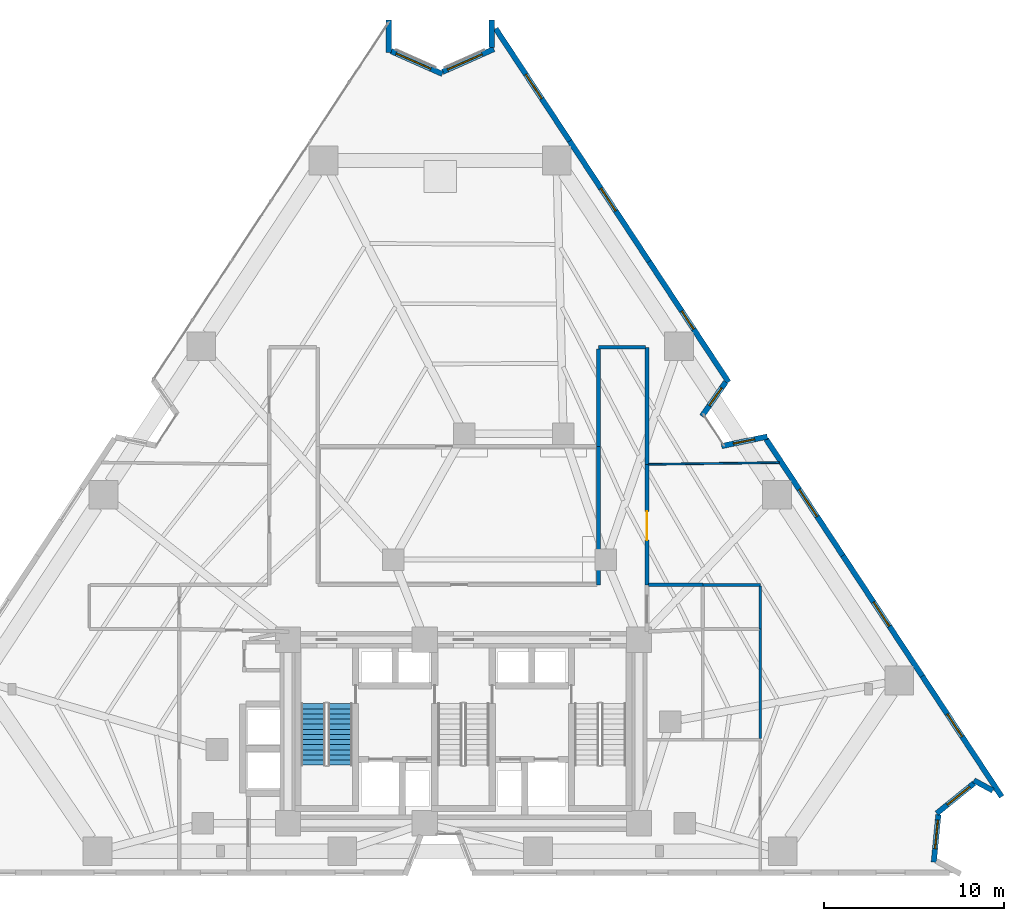
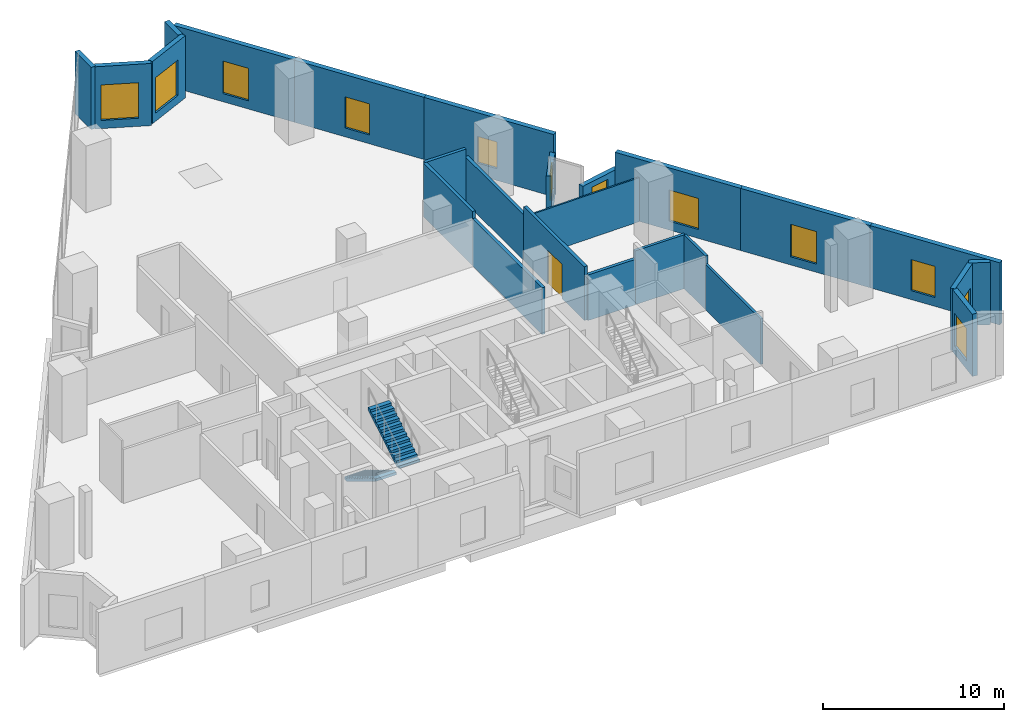
# One storey, part 9 of 12: 25 walls, 12 windows, 2 stair flights, 1 door, 13 openings, 1 element without a shape of its own.
"""IFC4 building model written with IfcOpenShell, lengths in metres."""

from ifc_helpers import new_model, si_unit, direction, frame, frame_2d, origin, place, context, subcontext, project, spatial, polyline, rectangle, outline, extrude, material, layer, layer_set, type_object, element, fill, aggregate, save


model = new_model("IFC4")

# Units and contexts
model_context = context("Model", 3, precision=1e-05, world=origin(), true_north=direction((0.0, 1.0)))
body_context = subcontext(model_context, "Body", "Model", "MODEL_VIEW")
ifc_project = project(units=[si_unit("LENGTHUNIT", "METRE"), si_unit("AREAUNIT", "SQUARE_METRE"), si_unit("VOLUMEUNIT", "CUBIC_METRE"), si_unit("PLANEANGLEUNIT", "RADIAN"), si_unit("MASSUNIT", "GRAM", prefix="KILO")], contexts=[model_context])

# Site, building, storey
site_placement = place(None, origin())
site = spatial("IfcSite", under=ifc_project, at=site_placement, CompositionType="ELEMENT")
building_placement = place(site_placement, origin())
building = spatial("IfcBuilding", under=site, at=building_placement, Name="Almagre Mirador Tower", CompositionType="ELEMENT")
storey_placement = place(building_placement, frame((0.0, 0.0, 12.89990234375)))
storey = spatial("IfcBuildingStorey", under=building, at=storey_placement, Name="L02", CompositionType="ELEMENT", Elevation=12.89990234375)

# Wall
ifc_material_1 = material(Name="Precast concrete C50/60", Category="concrete")
ifc_layer_1 = layer(ifc_material_1, 0.300048828125)
ifc_layer_set_1 = layer_set([ifc_layer_1], Name="Precast concrete C50/60")
wall_type_1 = type_object("IfcWallType", Name="WAL-EXT-300", PredefinedType="SOLIDWALL", material=ifc_layer_set_1)
wall_1_placement = place(storey_placement, frame((33.138916015625, 49.197998046875, 0.0), z_axis=(0.0, 0.0, 1.0), x_axis=(0.0, -1.0, 0.0)))
element("IfcWall", 1, at=wall_1_placement, inside=storey, type_object=wall_type_1, Name="L02 expressed almagre precast frame wall 03", PredefinedType="SOLIDWALL", context=body_context, shape_type="SweptSolid", body=[
    extrude(rectangle(XDim=1.81005859375, YDim=0.300048828125, at=frame_2d((0.905029296875, 0.0))), origin(), (0.0, 0.0, 1.0), 4.2001953125),
])

# Wall, opening, window
wall_2_placement = place(storey_placement, frame((33.26708984375, 47.47119140625, 0.0), z_axis=(0.0, 0.0, 1.0), x_axis=(0.913753658291, -0.40626869429, 0.0)))
wall_2 = element("IfcWall", 2, at=wall_2_placement, inside=storey, type_object=wall_type_1, Name="L02 expressed almagre precast frame wall 04", PredefinedType="SOLIDWALL", context=body_context, shape_type="SweptSolid", body=[
    extrude(rectangle(XDim=3.130859375, YDim=0.300048828125, at=frame_2d((1.5654296875, 0.0))), origin(), (0.0, 0.0, 1.0), 4.2001953125),
])
opening_1_placement = place(wall_2_placement, frame((0.320068359375, 0.0, 0.550048828125)))
opening_1 = element("IfcOpeningElement", 3, at=opening_1_placement, cuts=wall_2, Name="Opening WN-05", PredefinedType="OPENING", context=body_context, shape_type="SweptSolid", body=[
    extrude(rectangle(XDim=2.10009765625, YDim=2.39990234375, at=frame_2d((1.050048828125, 1.199951171875))), frame((0.0, 0.159902, 0.0), z_axis=(0.0, -1.0, 0.0), x_axis=(1.0, 0.0, 0.0)), (0.0, 0.0, 1.0), 0.320049),
])
ifc_material_2 = material(Name="Dark solar-control laminated hurricane glass", Category="glass")
window_type_1 = type_object("IfcWindowType", Name="WIN-2100X2400", PartitioningType="DOUBLE_PANEL_VERTICAL", PredefinedType="WINDOW", material=ifc_material_2)
window_1_placement = place(opening_1_placement, origin())
window_1 = element("IfcWindow", 4, at=window_1_placement, inside=storey, type_object=window_type_1, Name="L02 recessed hurricane window L02-TRN-10", OverallHeight=2.39990234375, OverallWidth=2.10009765625, PartitioningType="SINGLE_PANEL", PredefinedType="WINDOW", context=body_context, shape_type="SweptSolid", body=[
    extrude(rectangle(XDim=2.10009765625, YDim=2.39990234375, at=frame_2d((1.050048828125, 1.199951171875))), frame((0.0, 0.030029296875, 0.0), z_axis=(0.0, -1.0, 0.0), x_axis=(1.0, 0.0, 0.0)), (0.0, 0.0, 1.0), 0.06005859375),
])
fill(opening_1, window_1)

wall_3_placement = place(storey_placement, frame((36.13720703125, 46.31689453125, 0.0), z_axis=(0.0, 0.0, 1.0), x_axis=(0.913740568099, 0.406298134638, 0.0)))
wall_3 = element("IfcWall", 5, at=wall_3_placement, inside=storey, type_object=wall_type_1, Name="L02 expressed almagre precast frame wall 05", PredefinedType="SOLIDWALL", context=body_context, shape_type="SweptSolid", body=[
    extrude(rectangle(XDim=3.12109375, YDim=0.300048828125, at=frame_2d((1.560546875, 0.0))), origin(), (0.0, 0.0, 1.0), 4.2001953125),
])
opening_2_placement = place(wall_3_placement, frame((0.31005859375, 0.0, 0.550048828125)))
opening_2 = element("IfcOpeningElement", 6, at=opening_2_placement, cuts=wall_3, Name="Opening WN-05", PredefinedType="OPENING", context=body_context, shape_type="SweptSolid", body=[
    extrude(rectangle(XDim=2.10009765625, YDim=2.39990234375, at=frame_2d((1.050048828125, 1.199951171875))), frame((0.0, 0.159902, 0.0), z_axis=(0.0, -1.0, 0.0), x_axis=(1.0, 0.0, 0.0)), (0.0, 0.0, 1.0), 0.320049),
])
window_2_placement = place(opening_2_placement, origin())
window_2 = element("IfcWindow", 7, at=window_2_placement, inside=storey, type_object=window_type_1, Name="L02 recessed hurricane window L02-TRN-10", OverallHeight=2.39990234375, OverallWidth=2.10009765625, PartitioningType="SINGLE_PANEL", PredefinedType="WINDOW", context=body_context, shape_type="SweptSolid", body=[
    extrude(rectangle(XDim=2.10009765625, YDim=2.39990234375, at=frame_2d((1.050048828125, 1.199951171875))), frame((0.0, 0.030029296875, 0.0), z_axis=(0.0, -1.0, 0.0), x_axis=(1.0, 0.0, 0.0)), (0.0, 0.0, 1.0), 0.06005859375),
])
fill(opening_2, window_2)

# Wall
wall_4_placement = place(storey_placement, frame((38.861083984375, 47.673095703125, 0.0), z_axis=(0.0, 0.0, 1.0), x_axis=(0.0, 1.0, 0.0)))
element("IfcWall", 8, at=wall_4_placement, inside=storey, type_object=wall_type_1, Name="L02 expressed almagre precast frame wall 06", PredefinedType="SOLIDWALL", context=body_context, shape_type="SweptSolid", body=[
    extrude(rectangle(XDim=1.52490234375, YDim=0.300048828125, at=frame_2d((0.762451171875, 0.0))), origin(), (0.0, 0.0, 1.0), 4.2001953125),
])

# Wall, opening, window
wall_5_placement = place(storey_placement, frame((39.08935546875, 48.71142578125, 0.0), z_axis=(0.0, 0.0, 1.0), x_axis=(0.550235172211, -0.835009733633, 0.0)))
wall_5 = element("IfcWall", 9, at=wall_5_placement, inside=storey, type_object=wall_type_1, Name="L02 expressed almagre precast frame wall 07", PredefinedType="SOLIDWALL", context=body_context, shape_type="SweptSolid", body=[
    extrude(rectangle(XDim=7.470703125, YDim=0.300048828125, at=frame_2d((3.7353515625, 0.0))), origin(), (0.0, 0.0, 1.0), 4.2001953125),
])
opening_3_placement = place(wall_5_placement, frame((3.044921875, 0.0, 0.550048828125)))
opening_3 = element("IfcOpeningElement", 10, at=opening_3_placement, cuts=wall_5, Name="Opening WN-06", PredefinedType="OPENING", context=body_context, shape_type="SweptSolid", body=[
    extrude(rectangle(XDim=1.60009765625, YDim=2.199951171875, at=frame_2d((0.800048828125, 1.10009765625))), frame((0.0, 0.159902, 0.0), z_axis=(0.0, -1.0, 0.0), x_axis=(1.0, 0.0, 0.0)), (0.0, 0.0, 1.0), 0.320049),
])
ifc_material_3 = material(Name="Dark solar-control laminated hurricane glass", Category="glass")
window_type_2 = type_object("IfcWindowType", Name="WIN-1600X2200", PartitioningType="DOUBLE_PANEL_VERTICAL", PredefinedType="WINDOW", material=ifc_material_3)
window_3_placement = place(opening_3_placement, origin())
window_3 = element("IfcWindow", 11, at=window_3_placement, inside=storey, type_object=window_type_2, Name="L02 recessed hurricane window L02-TRN-10", OverallHeight=2.199951171875, OverallWidth=1.60009765625, PartitioningType="SINGLE_PANEL", PredefinedType="WINDOW", context=body_context, shape_type="SweptSolid", body=[
    extrude(rectangle(XDim=1.60009765625, YDim=2.199951171875, at=frame_2d((0.800048828125, 1.10009765625))), frame((0.0, 0.030029296875, 0.0), z_axis=(0.0, -1.0, 0.0), x_axis=(1.0, 0.0, 0.0)), (0.0, 0.0, 1.0), 0.06005859375),
])
fill(opening_3, window_3)

wall_6_placement = place(storey_placement, frame((43.199951171875, 42.473388671875, 0.0), z_axis=(0.0, 0.0, 1.0), x_axis=(0.550227566873, -0.835014745171, 0.0)))
wall_6 = element("IfcWall", 12, at=wall_6_placement, inside=storey, type_object=wall_type_1, Name="L02 expressed almagre precast frame wall 08", PredefinedType="SOLIDWALL", context=body_context, shape_type="SweptSolid", body=[
    extrude(rectangle(XDim=8.02587890625, YDim=0.300048828125, at=frame_2d((4.012939453125, 0.0))), origin(), (0.0, 0.0, 1.0), 4.2001953125),
])
opening_4_placement = place(wall_6_placement, frame((3.14990234375, 0.0, 0.60009765625)))
opening_4 = element("IfcOpeningElement", 13, at=opening_4_placement, cuts=wall_6, Name="Opening WN-03", PredefinedType="OPENING", context=body_context, shape_type="SweptSolid", body=[
    extrude(rectangle(XDim=1.5, YDim=2.10009765625, at=frame_2d((0.75, 1.050048828125))), frame((0.0, 0.159902, 0.0), z_axis=(0.0, -1.0, 0.0), x_axis=(1.0, 0.0, 0.0)), (0.0, 0.0, 1.0), 0.320049),
])
ifc_material_4 = material(Name="Dark solar-control laminated hurricane glass", Category="glass")
window_type_3 = type_object("IfcWindowType", Name="WIN-1500X2100", PartitioningType="DOUBLE_PANEL_VERTICAL", PredefinedType="WINDOW", material=ifc_material_4)
window_4_placement = place(opening_4_placement, origin())
window_4 = element("IfcWindow", 14, at=window_4_placement, inside=storey, type_object=window_type_3, Name="L02 recessed hurricane window L02-TRN-10", OverallHeight=2.10009765625, OverallWidth=1.5, PartitioningType="SINGLE_PANEL", PredefinedType="WINDOW", context=body_context, shape_type="SweptSolid", body=[
    extrude(rectangle(XDim=1.5, YDim=2.10009765625, at=frame_2d((0.75, 1.050048828125))), frame((0.0, 0.030029296875, 0.0), z_axis=(0.0, -1.0, 0.0), x_axis=(1.0, 0.0, 0.0)), (0.0, 0.0, 1.0), 0.06005859375),
])
fill(opening_4, window_4)

wall_7_placement = place(storey_placement, frame((47.615966796875, 35.771728515625, 0.0), z_axis=(0.0, 0.0, 1.0), x_axis=(0.550227566873, -0.835014745171, 0.0)))
wall_7 = element("IfcWall", 15, at=wall_7_placement, inside=storey, type_object=wall_type_1, Name="L02 expressed almagre precast frame wall 09", PredefinedType="SOLIDWALL", context=body_context, shape_type="SweptSolid", body=[
    extrude(rectangle(XDim=8.02587890625, YDim=0.300048828125, at=frame_2d((4.012939453125, 0.0))), origin(), (0.0, 0.0, 1.0), 4.2001953125),
])
opening_5_placement = place(wall_7_placement, frame((3.300048828125, 0.0, 0.800048828125)))
opening_5 = element("IfcOpeningElement", 16, at=opening_5_placement, cuts=wall_7, Name="Opening WN-04", PredefinedType="OPENING", context=body_context, shape_type="SweptSolid", body=[
    extrude(rectangle(XDim=1.199951171875, YDim=1.800048828125, at=frame_2d((0.60009765625, 0.89990234375))), frame((0.0, 0.159902, 0.0), z_axis=(0.0, -1.0, 0.0), x_axis=(1.0, 0.0, 0.0)), (0.0, 0.0, 1.0), 0.320049),
])
ifc_material_5 = material(Name="Dark solar-control laminated hurricane glass", Category="glass")
window_type_4 = type_object("IfcWindowType", Name="WIN-1200X1800", PartitioningType="SINGLE_PANEL", PredefinedType="WINDOW", material=ifc_material_5)
window_5_placement = place(opening_5_placement, origin())
window_5 = element("IfcWindow", 17, at=window_5_placement, inside=storey, type_object=window_type_4, Name="L02 recessed hurricane window L02-TRN-10", OverallHeight=1.800048828125, OverallWidth=1.199951171875, PartitioningType="SINGLE_PANEL", PredefinedType="WINDOW", context=body_context, shape_type="SweptSolid", body=[
    extrude(rectangle(XDim=1.199951171875, YDim=1.800048828125, at=frame_2d((0.60009765625, 0.89990234375))), frame((0.0, 0.030029296875, 0.0), z_axis=(0.0, -1.0, 0.0), x_axis=(1.0, 0.0, 0.0)), (0.0, 0.0, 1.0), 0.06005859375),
])
fill(opening_5, window_5)

wall_8_placement = place(storey_placement, frame((51.877685546875, 29.076416015625, 0.0), z_axis=(0.0, 0.0, 1.0), x_axis=(-0.572621210635, -0.819820071193, 0.0)))
wall_8 = element("IfcWall", 18, at=wall_8_placement, inside=storey, type_object=wall_type_1, Name="L02 expressed almagre precast frame wall 10", PredefinedType="SOLIDWALL", context=body_context, shape_type="SweptSolid", body=[
    extrude(rectangle(XDim=2.31884765625, YDim=0.300048828125, at=frame_2d((1.159423828125, 0.0))), origin(), (0.0, 0.0, 1.0), 2.97509765625),
])
opening_6_placement = place(wall_8_placement, frame((0.39990234375, 0.0, 0.800048828125)))
opening_6 = element("IfcOpeningElement", 19, at=opening_6_placement, cuts=wall_8, Name="Opening WN-04", PredefinedType="OPENING", context=body_context, shape_type="SweptSolid", body=[
    extrude(rectangle(XDim=1.199951171875, YDim=1.800048828125, at=frame_2d((0.60009765625, 0.89990234375))), frame((0.0, 0.159902, 0.0), z_axis=(0.0, -1.0, 0.0), x_axis=(1.0, 0.0, 0.0)), (0.0, 0.0, 1.0), 0.320049),
])
window_6_placement = place(opening_6_placement, origin())
window_6 = element("IfcWindow", 20, at=window_6_placement, inside=storey, type_object=window_type_4, Name="L02 recessed hurricane window L02-TRN-10", OverallHeight=1.800048828125, OverallWidth=1.199951171875, PartitioningType="SINGLE_PANEL", PredefinedType="WINDOW", context=body_context, shape_type="SweptSolid", body=[
    extrude(rectangle(XDim=1.199951171875, YDim=1.800048828125, at=frame_2d((0.60009765625, 0.89990234375))), frame((0.0, 0.030029296875, 0.0), z_axis=(0.0, -1.0, 0.0), x_axis=(1.0, 0.0, 0.0)), (0.0, 0.0, 1.0), 0.06005859375),
])
fill(opening_6, window_6)

wall_9_placement = place(storey_placement, frame((51.642822265625, 25.515625, 0.0), z_axis=(0.0, 0.0, 1.0), x_axis=(0.979221755308, 0.202792391206, 0.0)))
wall_9 = element("IfcWall", 21, at=wall_9_placement, inside=storey, type_object=wall_type_1, Name="L02 expressed almagre precast frame wall 11", PredefinedType="SOLIDWALL", context=body_context, shape_type="SweptSolid", body=[
    extrude(rectangle(XDim=2.59326171875, YDim=0.300048828125, at=frame_2d((1.296630859375, 0.0))), origin(), (0.0, 0.0, 1.0), 2.97509765625),
])
opening_7_placement = place(wall_9_placement, frame((0.675048828125, 0.0, 0.800048828125)))
opening_7 = element("IfcOpeningElement", 22, at=opening_7_placement, cuts=wall_9, Name="Opening WN-04", PredefinedType="OPENING", context=body_context, shape_type="SweptSolid", body=[
    extrude(rectangle(XDim=1.199951171875, YDim=1.800048828125, at=frame_2d((0.60009765625, 0.89990234375))), frame((0.0, 0.159902, 0.0), z_axis=(0.0, -1.0, 0.0), x_axis=(1.0, 0.0, 0.0)), (0.0, 0.0, 1.0), 0.320049),
])
window_7_placement = place(opening_7_placement, origin())
window_7 = element("IfcWindow", 23, at=window_7_placement, inside=storey, type_object=window_type_4, Name="L02 recessed hurricane window L02-TRN-10", OverallHeight=1.800048828125, OverallWidth=1.199951171875, PartitioningType="SINGLE_PANEL", PredefinedType="WINDOW", context=body_context, shape_type="SweptSolid", body=[
    extrude(rectangle(XDim=1.199951171875, YDim=1.800048828125, at=frame_2d((0.60009765625, 0.89990234375))), frame((0.0, 0.030029296875, 0.0), z_axis=(0.0, -1.0, 0.0), x_axis=(1.0, 0.0, 0.0)), (0.0, 0.0, 1.0), 0.06005859375),
])
fill(opening_7, window_7)

wall_10_placement = place(storey_placement, frame((54.1220703125, 25.89599609375, 0.0), z_axis=(0.0, 0.0, 1.0), x_axis=(0.550233454576, -0.835010865477, 0.0)))
wall_10 = element("IfcWall", 24, at=wall_10_placement, inside=storey, type_object=wall_type_1, Name="L02 expressed almagre precast frame wall 12", PredefinedType="SOLIDWALL", context=body_context, shape_type="SweptSolid", body=[
    extrude(rectangle(XDim=7.745849609375, YDim=0.300048828125, at=frame_2d((3.873046875, 0.0))), origin(), (0.0, 0.0, 1.0), 4.2001953125),
])
opening_8_placement = place(wall_10_placement, frame((3.344970703125, 0.0, 0.60009765625)))
opening_8 = element("IfcOpeningElement", 25, at=opening_8_placement, cuts=wall_10, Name="Opening WN-01", PredefinedType="OPENING", context=body_context, shape_type="SweptSolid", body=[
    extrude(rectangle(XDim=1.800048828125, YDim=2.10009765625, at=frame_2d((0.89990234375, 1.050048828125))), frame((0.0, 0.159902, 0.0), z_axis=(0.0, -1.0, 0.0), x_axis=(1.0, 0.0, 0.0)), (0.0, 0.0, 1.0), 0.320049),
])
ifc_material_6 = material(Name="Dark solar-control laminated hurricane glass", Category="glass")
window_type_5 = type_object("IfcWindowType", Name="WIN-1800X2100", PartitioningType="DOUBLE_PANEL_VERTICAL", PredefinedType="WINDOW", material=ifc_material_6)
window_8_placement = place(opening_8_placement, origin())
window_8 = element("IfcWindow", 26, at=window_8_placement, inside=storey, type_object=window_type_5, Name="L02 recessed hurricane window L02-EXH-5", OverallHeight=2.10009765625, OverallWidth=1.800048828125, PartitioningType="SINGLE_PANEL", PredefinedType="WINDOW", context=body_context, shape_type="SweptSolid", body=[
    extrude(rectangle(XDim=1.800048828125, YDim=2.10009765625, at=frame_2d((0.89990234375, 1.050048828125))), frame((0.0, 0.030029296875, 0.0), z_axis=(0.0, -1.0, 0.0), x_axis=(1.0, 0.0, 0.0)), (0.0, 0.0, 1.0), 0.06005859375),
])
fill(opening_8, window_8)

wall_11_placement = place(storey_placement, frame((58.384033203125, 19.42822265625, 0.0), z_axis=(0.0, 0.0, 1.0), x_axis=(0.550241543324, -0.835005535311, 0.0)))
wall_11 = element("IfcWall", 27, at=wall_11_placement, inside=storey, type_object=wall_type_1, Name="L02 expressed almagre precast frame wall 13", PredefinedType="SOLIDWALL", context=body_context, shape_type="SweptSolid", body=[
    extrude(rectangle(XDim=8.025634765625, YDim=0.300048828125, at=frame_2d((4.0126953125, 0.0))), origin(), (0.0, 0.0, 1.0), 4.2001953125),
])
opening_9_placement = place(wall_11_placement, frame((3.10009765625, 0.0, 0.550048828125)))
opening_9 = element("IfcOpeningElement", 28, at=opening_9_placement, cuts=wall_11, Name="Opening WN-06", PredefinedType="OPENING", context=body_context, shape_type="SweptSolid", body=[
    extrude(rectangle(XDim=1.60009765625, YDim=2.199951171875, at=frame_2d((0.800048828125, 1.10009765625))), frame((0.0, 0.159902, 0.0), z_axis=(0.0, -1.0, 0.0), x_axis=(1.0, 0.0, 0.0)), (0.0, 0.0, 1.0), 0.320049),
])
window_9_placement = place(opening_9_placement, origin())
window_9 = element("IfcWindow", 29, at=window_9_placement, inside=storey, type_object=window_type_2, Name="L02 recessed hurricane window L02-EXH-5", OverallHeight=2.199951171875, OverallWidth=1.60009765625, PartitioningType="SINGLE_PANEL", PredefinedType="WINDOW", context=body_context, shape_type="SweptSolid", body=[
    extrude(rectangle(XDim=1.60009765625, YDim=2.199951171875, at=frame_2d((0.800048828125, 1.10009765625))), frame((0.0, 0.030029296875, 0.0), z_axis=(0.0, -1.0, 0.0), x_axis=(1.0, 0.0, 0.0)), (0.0, 0.0, 1.0), 0.06005859375),
])
fill(opening_9, window_9)

wall_12_placement = place(storey_placement, frame((62.800048828125, 12.726806640625, 0.0), z_axis=(0.0, 0.0, 1.0), x_axis=(0.550227566873, -0.835014745171, 0.0)))
wall_12 = element("IfcWall", 30, at=wall_12_placement, inside=storey, type_object=wall_type_1, Name="L02 expressed almagre precast frame wall 14", PredefinedType="SOLIDWALL", context=body_context, shape_type="SweptSolid", body=[
    extrude(rectangle(XDim=8.02587890625, YDim=0.300048828125, at=frame_2d((4.012939453125, 0.0))), origin(), (0.0, 0.0, 1.0), 4.2001953125),
])
opening_10_placement = place(wall_12_placement, frame((2.52490234375, 0.0, 0.60009765625)))
opening_10 = element("IfcOpeningElement", 31, at=opening_10_placement, cuts=wall_12, Name="Opening WN-03", PredefinedType="OPENING", context=body_context, shape_type="SweptSolid", body=[
    extrude(rectangle(XDim=1.5, YDim=2.10009765625, at=frame_2d((0.75, 1.050048828125))), frame((0.0, 0.159902, 0.0), z_axis=(0.0, -1.0, 0.0), x_axis=(1.0, 0.0, 0.0)), (0.0, 0.0, 1.0), 0.320049),
])
window_10_placement = place(opening_10_placement, origin())
window_10 = element("IfcWindow", 32, at=window_10_placement, inside=storey, type_object=window_type_3, Name="L02 recessed hurricane window L02-EXH-5", OverallHeight=2.10009765625, OverallWidth=1.5, PartitioningType="SINGLE_PANEL", PredefinedType="WINDOW", context=body_context, shape_type="SweptSolid", body=[
    extrude(rectangle(XDim=1.5, YDim=2.10009765625, at=frame_2d((0.75, 1.050048828125))), frame((0.0, 0.030029296875, 0.0), z_axis=(0.0, -1.0, 0.0), x_axis=(1.0, 0.0, 0.0)), (0.0, 0.0, 1.0), 0.06005859375),
])
fill(opening_10, window_10)

# Wall
wall_13_placement = place(storey_placement, frame((66.720703125, 6.367431640625, 0.0), z_axis=(0.0, 0.0, 1.0), x_axis=(-0.880320174686, 0.474380005946, 0.0)))
element("IfcWall", 33, at=wall_13_placement, inside=storey, type_object=wall_type_1, Name="L02 expressed almagre precast frame wall 15", PredefinedType="SOLIDWALL", context=body_context, shape_type="SweptSolid", body=[
    extrude(rectangle(XDim=1.195068359375, YDim=0.300048828125, at=frame_2d((0.59765625, 0.0))), origin(), (0.0, 0.0, 1.0), 4.2001953125),
])

# Wall, opening, window
wall_14_placement = place(storey_placement, frame((65.68310546875, 6.780029296875, 0.0), z_axis=(0.0, 0.0, 1.0), x_axis=(-0.778253340515, -0.62795042637, 0.0)))
wall_14 = element("IfcWall", 34, at=wall_14_placement, inside=storey, type_object=wall_type_1, Name="L02 expressed almagre precast frame wall 16", PredefinedType="SOLIDWALL", context=body_context, shape_type="SweptSolid", body=[
    extrude(rectangle(XDim=2.67529296875, YDim=0.300048828125, at=frame_2d((1.337646484375, 0.0))), origin(), (0.0, 0.0, 1.0), 4.2001953125),
])
opening_11_placement = place(wall_14_placement, frame((0.320068359375, 0.0, 0.550048828125)))
opening_11 = element("IfcOpeningElement", 35, at=opening_11_placement, cuts=wall_14, Name="Opening WN-06", PredefinedType="OPENING", context=body_context, shape_type="SweptSolid", body=[
    extrude(rectangle(XDim=1.60009765625, YDim=2.199951171875, at=frame_2d((0.800048828125, 1.10009765625))), frame((0.0, 0.159902, 0.0), z_axis=(0.0, -1.0, 0.0), x_axis=(1.0, 0.0, 0.0)), (0.0, 0.0, 1.0), 0.320049),
])
window_11_placement = place(opening_11_placement, origin())
window_11 = element("IfcWindow", 36, at=window_11_placement, inside=storey, type_object=window_type_2, Name="L02 recessed hurricane window L02-EXH-5", OverallHeight=2.199951171875, OverallWidth=1.60009765625, PartitioningType="SINGLE_PANEL", PredefinedType="WINDOW", context=body_context, shape_type="SweptSolid", body=[
    extrude(rectangle(XDim=1.60009765625, YDim=2.199951171875, at=frame_2d((0.800048828125, 1.10009765625))), frame((0.0, 0.030029296875, 0.0), z_axis=(0.0, -1.0, 0.0), x_axis=(1.0, 0.0, 0.0)), (0.0, 0.0, 1.0), 0.06005859375),
])
fill(opening_11, window_11)

wall_15_placement = place(storey_placement, frame((63.695068359375, 5.03369140625, 0.0), z_axis=(0.0, 0.0, 1.0), x_axis=(-0.096121744624, -0.995369584732, 0.0)))
wall_15 = element("IfcWall", 37, at=wall_15_placement, inside=storey, type_object=wall_type_1, Name="L02 expressed almagre precast frame wall 17", PredefinedType="SOLIDWALL", context=body_context, shape_type="SweptSolid", body=[
    extrude(rectangle(XDim=2.6591796875, YDim=0.300048828125, at=frame_2d((1.32958984375, 0.0))), origin(), (0.0, 0.0, 1.0), 4.2001953125),
])
opening_12_placement = place(wall_15_placement, frame((0.304931640625, 0.0, 0.550048828125)))
opening_12 = element("IfcOpeningElement", 38, at=opening_12_placement, cuts=wall_15, Name="Opening WN-06", PredefinedType="OPENING", context=body_context, shape_type="SweptSolid", body=[
    extrude(rectangle(XDim=1.60009765625, YDim=2.199951171875, at=frame_2d((0.800048828125, 1.10009765625))), frame((0.0, 0.159902, 0.0), z_axis=(0.0, -1.0, 0.0), x_axis=(1.0, 0.0, 0.0)), (0.0, 0.0, 1.0), 0.320049),
])
window_12_placement = place(opening_12_placement, origin())
window_12 = element("IfcWindow", 39, at=window_12_placement, inside=storey, type_object=window_type_2, Name="L02 recessed hurricane window L02-EXH-5", OverallHeight=2.199951171875, OverallWidth=1.60009765625, PartitioningType="SINGLE_PANEL", PredefinedType="WINDOW", context=body_context, shape_type="SweptSolid", body=[
    extrude(rectangle(XDim=1.60009765625, YDim=2.199951171875, at=frame_2d((0.800048828125, 1.10009765625))), frame((0.0, 0.030029296875, 0.0), z_axis=(0.0, -1.0, 0.0), x_axis=(1.0, 0.0, 0.0)), (0.0, 0.0, 1.0), 0.06005859375),
])
fill(opening_12, window_12)

# Walls
ifc_material_7 = material(Name="Gypsum acoustic stud partition", Category="other")
ifc_layer_2 = layer(ifc_material_7, 0.10009765625)
ifc_layer_set_2 = layer_set([ifc_layer_2], Name="Gypsum acoustic stud partition")
wall_type_2 = type_object("IfcWallType", Name="WAL-PRT-100-CLS", PredefinedType="PARTITIONING", material=ifc_layer_set_2)
wall_16_placement = place(storey_placement, frame((54.844970703125, 24.596923828125, 0.0), z_axis=(0.0, 0.0, 1.0), x_axis=(-0.999912681973, -0.013214705048, 0.0)))
element("IfcWall", 40, at=wall_16_placement, inside=storey, type_object=wall_type_2, Name="L02 interior partition 032", PredefinedType="PARTITIONING", context=body_context, shape_type="SweptSolid", body=[
    extrude(rectangle(XDim=7.2607421875, YDim=0.10009765625, at=frame_2d((3.63037109375, 0.0))), origin(), (0.0, 0.0, 1.0), 2.97021484375),
])
ifc_material_8 = material(Name="Gypsum acoustic stud partition", Category="other")
ifc_layer_3 = layer(ifc_material_8, 0.14990234375)
ifc_layer_set_3 = layer_set([ifc_layer_3], Name="Gypsum acoustic stud partition")
wall_type_3 = type_object("IfcWallType", Name="WAL-PRT-150-STD", PredefinedType="PARTITIONING", material=ifc_layer_set_3)
wall_17_placement = place(storey_placement, frame((53.800048828125, 9.260009765625, 0.0), z_axis=(0.0, 0.0, 1.0), x_axis=(0.0, 1.0, 0.0)))
element("IfcWall", 41, at=wall_17_placement, inside=storey, type_object=wall_type_3, Name="L02 interior partition 023", PredefinedType="PARTITIONING", context=body_context, shape_type="SweptSolid", body=[
    extrude(rectangle(XDim=6.090087890625, YDim=0.14990234375, at=frame_2d((3.044921875, 0.0))), origin(), (0.0, 0.0, 1.0), 3.078125),
])
wall_18_placement = place(storey_placement, frame((53.800048828125, 17.7275390625, 0.0), z_axis=(0.0, 0.0, 1.0), x_axis=(0.0, -1.0, 0.0)))
element("IfcWall", 42, at=wall_18_placement, inside=storey, type_object=wall_type_3, Name="L02 interior partition 031", PredefinedType="PARTITIONING", context=body_context, shape_type="SweptSolid", body=[
    extrude(rectangle(XDim=2.37744140625, YDim=0.14990234375, at=frame_2d((1.188720703125, 0.0))), origin(), (0.0, 0.0, 1.0), 3.63720703125),
])
ifc_material_9 = material(Name="Gypsum acoustic stud partition", Category="other")
ifc_layer_4 = layer(ifc_material_9, 0.175048828125)
ifc_layer_set_4 = layer_set([ifc_layer_4], Name="Gypsum acoustic stud partition")
wall_type_4 = type_object("IfcWallType", Name="WAL-PRT-175-AC", PredefinedType="PARTITIONING", material=ifc_layer_set_4)
wall_19_placement = place(storey_placement, frame((50.60009765625, 17.800048828125, 0.0), z_axis=(0.0, 0.0, 1.0), x_axis=(1.0, 0.0, 0.0)))
element("IfcWall", 43, at=wall_19_placement, inside=storey, type_object=wall_type_4, Name="L02 interior partition 030", PredefinedType="PARTITIONING", context=body_context, shape_type="SweptSolid", body=[
    extrude(rectangle(XDim=3.199951171875, YDim=0.175048828125, at=frame_2d((1.60009765625, 0.0))), origin(), (0.0, 0.0, 1.0), 3.63720703125),
])

# Wall, opening, door
ifc_material_10 = material(Name="Gypsum acoustic stud partition", Category="other")
ifc_layer_5 = layer(ifc_material_10, 0.199951171875)
ifc_layer_set_5 = layer_set([ifc_layer_5], Name="Gypsum acoustic stud partition")
wall_type_5 = type_object("IfcWallType", Name="WAL-PRT-200-EI60", PredefinedType="PARTITIONING", material=ifc_layer_set_5)
wall_20_placement = place(storey_placement, frame((47.5, 17.800048828125, 0.0), z_axis=(0.0, 0.0, 1.0), x_axis=(0.0, 1.0, 0.0)))
wall_20 = element("IfcWall", 44, at=wall_20_placement, inside=storey, type_object=wall_type_5, Name="L02 interior partition 004", PredefinedType="PARTITIONING", context=body_context, shape_type="SweptSolid", body=[
    extrude(rectangle(XDim=6.699951171875, YDim=0.199951171875, at=frame_2d((3.35009765625, 0.0))), origin(), (0.0, 0.0, 1.0), 3.63720703125),
])
opening_13_placement = place(wall_20_placement, frame((2.4912109375, 0.0, 0.0)))
opening_13 = element("IfcOpeningElement", 45, at=opening_13_placement, cuts=wall_20, Name="Opening ID-05", PredefinedType="OPENING", context=body_context, shape_type="SweptSolid", body=[
    extrude(rectangle(XDim=1.60009765625, YDim=2.300048828125, at=frame_2d((0.800048828125, 1.14990234375))), frame((0.0, 0.110098, 0.0), z_axis=(0.0, -1.0, 0.0), x_axis=(1.0, 0.0, 0.0)), (0.0, 0.0, 1.0), 0.219951),
])
ifc_material_11 = material(Name="Fire-rated acoustic timber", Category="wood")
door_type = type_object("IfcDoorType", Name="DOR-FD60-1600X2300", OperationType="DOUBLE_DOOR_SINGLE_SWING", PredefinedType="DOOR", material=ifc_material_11)
door_placement = place(opening_13_placement, origin())
door = element("IfcDoor", 46, at=door_placement, inside=storey, type_object=door_type, Name="DR-0100 L02 interior door L02-COR to L02-EXH-5", OperationType="DOUBLE_DOOR_SINGLE_SWING", OverallHeight=2.300048828125, OverallWidth=1.60009765625, PredefinedType="DOOR", context=body_context, shape_type="SweptSolid", body=[
    extrude(rectangle(XDim=1.60009765625, YDim=2.300048828125, at=frame_2d((0.800048828125, 1.14990234375))), frame((0.0, 0.02490234375, 0.0), z_axis=(0.0, -1.0, 0.0), x_axis=(1.0, 0.0, 0.0)), (0.0, 0.0, 1.0), 0.050048828125),
])
fill(opening_13, door)

# Walls
wall_21_placement = place(storey_placement, frame((44.800048828125, 25.5, 0.0), z_axis=(0.0, 0.0, 1.0), x_axis=(0.0, -1.0, 0.0)))
element("IfcWall", 47, at=wall_21_placement, inside=storey, type_object=wall_type_5, Name="L02 interior partition 007", PredefinedType="PARTITIONING", context=body_context, shape_type="SweptSolid", body=[
    extrude(rectangle(XDim=7.699951171875, YDim=0.199951171875, at=frame_2d((3.85009765625, 0.0))), origin(), (0.0, 0.0, 1.0), 3.1591796875),
])
wall_22_placement = place(storey_placement, frame((47.5, 24.5, 0.0), z_axis=(0.0, 0.0, 1.0), x_axis=(0.0, 1.0, 0.0)))
element("IfcWall", 48, at=wall_22_placement, inside=storey, type_object=wall_type_5, Name="L02 interior partition 013", PredefinedType="PARTITIONING", context=body_context, shape_type="SweptSolid", body=[
    extrude(rectangle(XDim=6.5, YDim=0.199951171875, at=frame_2d((3.25, 0.0))), origin(), (0.0, 0.0, 1.0), 3.078125),
])
wall_23_placement = place(storey_placement, frame((47.4150390625, 31.0, 0.0), z_axis=(0.0, 0.0, 1.0), x_axis=(-1.0, 0.0, 0.0)))
element("IfcWall", 49, at=wall_23_placement, inside=storey, type_object=wall_type_5, Name="L02 interior partition 014", PredefinedType="PARTITIONING", context=body_context, shape_type="SweptSolid", body=[
    extrude(rectangle(XDim=2.614990234375, YDim=0.199951171875, at=frame_2d((1.3076171875, 0.0))), origin(), (0.0, 0.0, 1.0), 3.63720703125),
])
wall_24_placement = place(storey_placement, frame((44.800048828125, 30.9150390625, 0.0), z_axis=(0.0, 0.0, 1.0), x_axis=(0.0, -1.0, 0.0)))
element("IfcWall", 50, at=wall_24_placement, inside=storey, type_object=wall_type_5, Name="L02 interior partition 015", PredefinedType="PARTITIONING", context=body_context, shape_type="SweptSolid", body=[
    extrude(rectangle(XDim=5.4150390625, YDim=0.199951171875, at=frame_2d((2.70751953125, 0.0))), origin(), (0.0, 0.0, 1.0), 3.63720703125),
])
wall_25_placement = place(storey_placement, frame((47.5849609375, 17.800048828125, 0.0), z_axis=(0.0, 0.0, 1.0), x_axis=(1.0, 0.0, 0.0)))
element("IfcWall", 51, at=wall_25_placement, inside=storey, type_object=wall_type_5, Name="L02 interior partition 029", PredefinedType="PARTITIONING", context=body_context, shape_type="SweptSolid", body=[
    extrude(rectangle(XDim=3.01513671875, YDim=0.199951171875, at=frame_2d((1.507568359375, 0.0))), origin(), (0.0, 0.0, 1.0), 3.078125),
])

# Stair, stair flights
ifc_material_12 = material(Name="Concrete C45/55", Category="concrete")
stair_type = type_object("IfcStairType", Name="STR-DL-4500", PredefinedType="HALF_TURN_STAIR", material=ifc_material_12)
stair_placement = place(storey_placement, origin())
stair = element("IfcStair", 52, at=stair_placement, inside=storey, type_object=stair_type, Name="L02 Protected exit stair ST-1", PredefinedType="HALF_TURN_STAIR")
ifc_material_13 = material(Name="Concrete C45/55", Category="concrete")
stair_flight_type = type_object("IfcStairFlightType", Name="FLT-DL-4500", PredefinedType="STRAIGHT", material=ifc_material_13)
stair_flight_1_placement = place(storey_placement, frame((28.949951171875, 11.199951171875, 0.0), z_axis=(0.0, 0.0, 1.0), x_axis=(0.0, -1.0, 0.0)))
stair_flight_1 = element("IfcStairFlight", 53, at=stair_flight_1_placement, type_object=stair_flight_type, Name="ST-1 flight 1", NumberOfRisers=13, NumberOfTreads=12, PredefinedType="STRAIGHT", RiserHeight=0.173076923, TreadLength=0.285, context=body_context, shape_type="SweptSolid", body=[
    extrude(outline(polyline([(0.0, 0.0), (0.0, 0.173095703125), (0.284912109375, 0.173095703125), (0.284912109375, 0.34619140625), (0.570068359375, 0.34619140625), (0.570068359375, 0.519287109375), (0.85498046875, 0.519287109375), (0.85498046875, 0.6923828125), (1.139892578125, 0.6923828125), (1.139892578125, 0.865478515625), (1.425048828125, 0.865478515625), (1.425048828125, 1.03857421875), (1.7099609375, 1.03857421875), (1.7099609375, 1.21142578125), (1.9951171875, 1.21142578125), (1.9951171875, 1.384521484375), (2.280029296875, 1.384521484375), (2.280029296875, 1.5576171875), (2.56494140625, 1.5576171875), (2.56494140625, 1.730712890625), (2.85009765625, 1.730712890625), (2.85009765625, 1.90380859375), (3.135009765625, 1.90380859375), (3.135009765625, 2.076904296875), (3.419921875, 2.076904296875), (3.419921875, 2.25), (3.419921875, 1.901611328125), (0.288818359375, 0.0), (0.0, 0.0)])), frame((0.0, 0.675048828125, 0.0), z_axis=(0.0, -1.0, 0.0), x_axis=(1.0, 0.0, 0.0)), (0.0, 0.0, 1.0), 1.35009765625),
])
stair_flight_2_placement = place(storey_placement, frame((30.449951171875, 7.780029296875, 2.25), z_axis=(0.0, 0.0, 1.0), x_axis=(0.0, 1.0, 0.0)))
stair_flight_2 = element("IfcStairFlight", 54, at=stair_flight_2_placement, type_object=stair_flight_type, Name="ST-1 flight 2", NumberOfRisers=13, NumberOfTreads=12, PredefinedType="STRAIGHT", RiserHeight=0.173076923, TreadLength=0.285, context=body_context, shape_type="SweptSolid", body=[
    extrude(outline(polyline([(0.0, 0.0), (0.0, 0.173095703125), (0.284912109375, 0.173095703125), (0.284912109375, 0.34619140625), (0.570068359375, 0.34619140625), (0.570068359375, 0.519287109375), (0.85498046875, 0.519287109375), (0.85498046875, 0.6923828125), (1.139892578125, 0.6923828125), (1.139892578125, 0.865478515625), (1.425048828125, 0.865478515625), (1.425048828125, 1.03857421875), (1.7099609375, 1.03857421875), (1.7099609375, 1.21142578125), (1.9951171875, 1.21142578125), (1.9951171875, 1.384521484375), (2.280029296875, 1.384521484375), (2.280029296875, 1.5576171875), (2.56494140625, 1.5576171875), (2.56494140625, 1.730712890625), (2.85009765625, 1.730712890625), (2.85009765625, 1.90380859375), (3.135009765625, 1.90380859375), (3.135009765625, 2.076904296875), (3.419921875, 2.076904296875), (3.419921875, 2.25), (3.419921875, 1.901611328125), (0.288818359375, 0.0), (0.0, 0.0)])), frame((0.0, 0.675048828125, 0.0), z_axis=(0.0, -1.0, 0.0), x_axis=(1.0, 0.0, 0.0)), (0.0, 0.0, 1.0), 1.35009765625),
])
aggregate(stair, [stair_flight_1, stair_flight_2])

save(model, "model.ifc")
